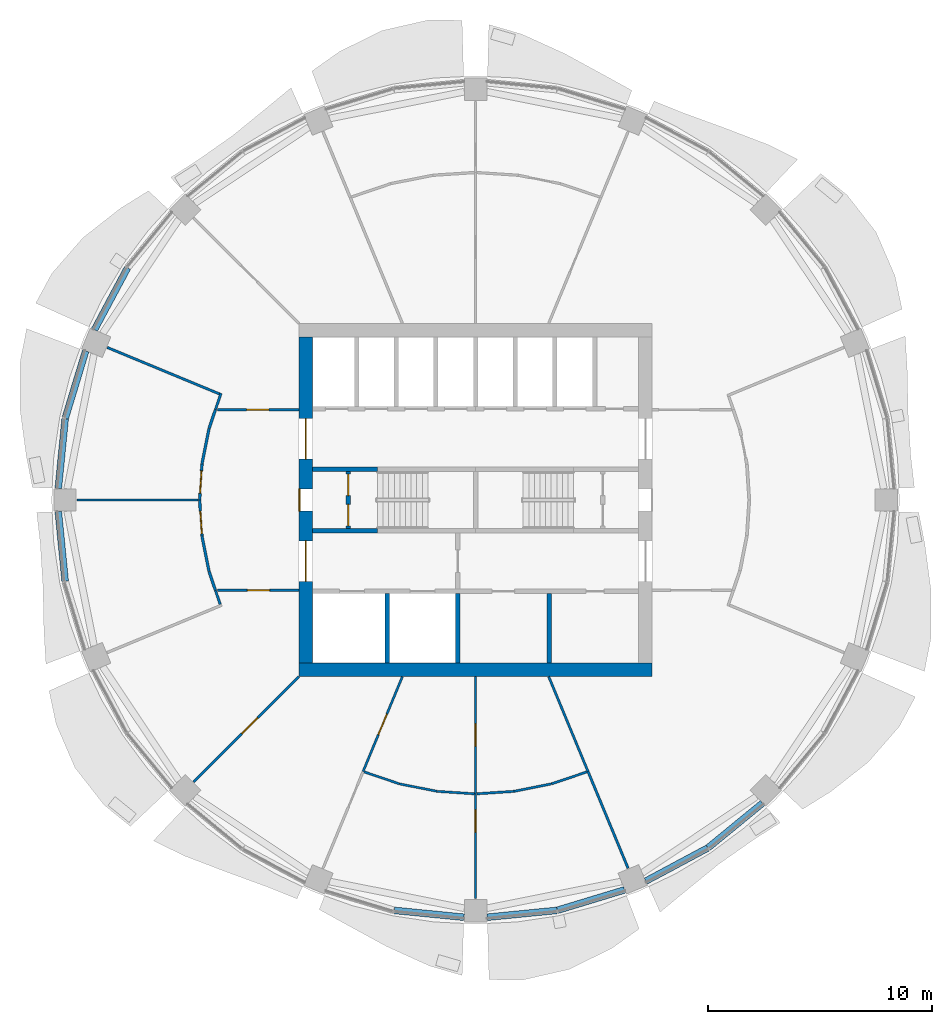
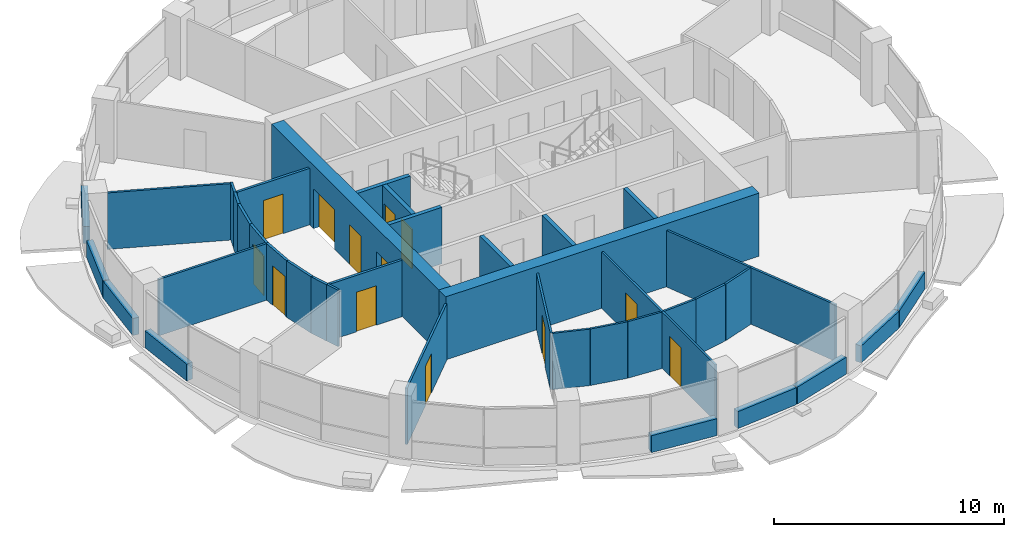
# One storey, part 8 of 14: 41 walls, 13 doors, 13 openings.
"""IFC4 building model written with IfcOpenShell, lengths in metres."""

from ifc_helpers import new_model, si_unit, direction, frame, frame_2d, origin, place, context, subcontext, project, spatial, rectangle, extrude, material, layer, layer_set, type_object, element, fill, save


model = new_model("IFC4")

# Units and contexts
model_context = context("Model", 3, precision=1e-05, world=origin(), true_north=direction((0.0, 1.0)))
body_context = subcontext(model_context, "Body", "Model", "MODEL_VIEW")
ifc_project = project(units=[si_unit("LENGTHUNIT", "METRE"), si_unit("AREAUNIT", "SQUARE_METRE"), si_unit("VOLUMEUNIT", "CUBIC_METRE"), si_unit("PLANEANGLEUNIT", "RADIAN"), si_unit("MASSUNIT", "GRAM", prefix="KILO")], contexts=[model_context])

# Site, building, storey
site_placement = place(None, origin())
site = spatial("IfcSite", under=ifc_project, at=site_placement, CompositionType="ELEMENT")
building_placement = place(site_placement, origin())
building = spatial("IfcBuilding", under=site, at=building_placement, Name="Polderwave Tower", CompositionType="ELEMENT")
storey_placement = place(building_placement, frame((0.0, 0.0, 141.050048828125)))
storey = spatial("IfcBuildingStorey", under=building, at=storey_placement, Name="L37", CompositionType="ELEMENT", Elevation=141.050048828125)

# Wall
ifc_material_1 = material(Name="Concrete C60/75", Category="concrete")
ifc_layer_1 = layer(ifc_material_1, 0.60009765625)
ifc_layer_set_1 = layer_set([ifc_layer_1], Name="CORE WALL 600 C60/75")
wall_type_1 = type_object("IfcWallType", Name="CORE WALL 600 C60/75", PredefinedType="SHEAR", material=ifc_layer_set_1)
wall_1_placement = place(storey_placement, frame((-7.8740234375, -7.573974609375, 0.0), z_axis=(0.0, 0.0, 1.0), x_axis=(1.0, 0.0, 0.0)))
element("IfcWall", 1, at=wall_1_placement, inside=storey, type_object=wall_type_1, Name="ST-CORE-L37-S", PredefinedType="SHEAR", context=body_context, shape_type="SweptSolid", body=[
    extrude(rectangle(XDim=15.748046875, YDim=0.60009765625, at=frame_2d((7.8740234375, 0.0))), origin(), (0.0, 0.0, 1.0), 3.349853515625),
])

# Wall, openings, doors
wall_2_placement = place(storey_placement, frame((-7.573974609375, -7.27392578125, 0.0), z_axis=(0.0, 0.0, 1.0), x_axis=(0.0, 1.0, 0.0)))
wall_2 = element("IfcWall", 2, at=wall_2_placement, inside=storey, type_object=wall_type_1, Name="ST-CORE-L37-W", PredefinedType="SHEAR", context=body_context, shape_type="SweptSolid", body=[
    extrude(rectangle(XDim=14.5478515625, YDim=0.60009765625, at=frame_2d((7.27392578125, 0.0))), origin(), (0.0, 0.0, 1.0), 3.349853515625),
])
opening_1_placement = place(wall_2_placement, frame((6.77392578125, 0.0, 0.0)))
opening_1 = element("IfcOpeningElement", 3, at=opening_1_placement, cuts=wall_2, Name="Opening L37-D18", PredefinedType="OPENING", context=body_context, shape_type="SweptSolid", body=[
    extrude(rectangle(XDim=1.0, YDim=2.10009765625, at=frame_2d((0.5, 1.050048828125))), frame((0.0, 0.31005859375, 0.0), z_axis=(0.0, -1.0, 0.0), x_axis=(1.0, 0.0, 0.0)), (0.0, 0.0, 1.0), 0.6201171875),
])
opening_2_placement = place(wall_2_placement, frame((3.6494140625, 0.0, 0.0)))
opening_2 = element("IfcOpeningElement", 4, at=opening_2_placement, cuts=wall_2, Name="Opening L37-D19", PredefinedType="OPENING", context=body_context, shape_type="SweptSolid", body=[
    extrude(rectangle(XDim=1.800048828125, YDim=2.10009765625, at=frame_2d((0.89990234375, 1.050048828125))), frame((0.0, 0.31005859375, 0.0), z_axis=(0.0, -1.0, 0.0), x_axis=(1.0, 0.0, 0.0)), (0.0, 0.0, 1.0), 0.6201171875),
])
opening_3_placement = place(wall_2_placement, frame((9.098388671875, 0.0, 0.0)))
opening_3 = element("IfcOpeningElement", 5, at=opening_3_placement, cuts=wall_2, Name="Opening L37-D20", PredefinedType="OPENING", context=body_context, shape_type="SweptSolid", body=[
    extrude(rectangle(XDim=1.800048828125, YDim=2.10009765625, at=frame_2d((0.89990234375, 1.050048828125))), frame((0.0, 0.31005859375, 0.0), z_axis=(0.0, -1.0, 0.0), x_axis=(1.0, 0.0, 0.0)), (0.0, 0.0, 1.0), 0.6201171875),
])
ifc_material_2 = material(Name="Steel fire door", Category="steel")
door_type_1 = type_object("IfcDoorType", Name="Lobby entry door pair 1800", OperationType="DOUBLE_DOOR_SINGLE_SWING", PredefinedType="DOOR", material=ifc_material_2)
door_1_placement = place(opening_2_placement, origin())
door_1 = element("IfcDoor", 6, at=door_1_placement, inside=storey, type_object=door_type_1, Name="Fire-fighting lobby entry door", OperationType="DOUBLE_DOOR_SINGLE_SWING", OverallHeight=2.10009765625, OverallWidth=1.800048828125, PredefinedType="DOOR", context=body_context, shape_type="SweptSolid", body=[
    extrude(rectangle(XDim=1.800048828125, YDim=2.10009765625, at=frame_2d((0.89990234375, 1.050048828125))), frame((0.0, 0.02490234375, 0.0), z_axis=(0.0, -1.0, 0.0), x_axis=(1.0, 0.0, 0.0)), (0.0, 0.0, 1.0), 0.050048828125),
])
fill(opening_2, door_1)
door_2_placement = place(opening_3_placement, origin())
door_2 = element("IfcDoor", 7, at=door_2_placement, inside=storey, type_object=door_type_1, Name="North lobby entry door", OperationType="DOUBLE_DOOR_SINGLE_SWING", OverallHeight=2.10009765625, OverallWidth=1.800048828125, PredefinedType="DOOR", context=body_context, shape_type="SweptSolid", body=[
    extrude(rectangle(XDim=1.800048828125, YDim=2.10009765625, at=frame_2d((0.89990234375, 1.050048828125))), frame((0.0, 0.02490234375, 0.0), z_axis=(0.0, -1.0, 0.0), x_axis=(1.0, 0.0, 0.0)), (0.0, 0.0, 1.0), 0.050048828125),
])
fill(opening_3, door_2)
door_type_2 = type_object("IfcDoorType", Name="Stair door 1000", OperationType="NOTDEFINED", PredefinedType="DOOR", material=ifc_material_2)
door_3_placement = place(opening_1_placement, origin())
door_3 = element("IfcDoor", 8, at=door_3_placement, inside=storey, type_object=door_type_2, Name="Stair A entry door", OperationType="SINGLE_SWING_RIGHT", OverallHeight=2.10009765625, OverallWidth=1.0, PredefinedType="DOOR", context=body_context, shape_type="SweptSolid", body=[
    extrude(rectangle(XDim=1.0, YDim=2.10009765625, at=frame_2d((0.5, 1.050048828125))), frame((0.0, 0.2998046875, 0.0), z_axis=(0.0, -1.0, 0.0), x_axis=(1.0, 0.0, 0.0)), (0.0, 0.0, 1.0), 0.050048828125),
])
fill(opening_1, door_3)

# Walls
ifc_material_3 = material(Name="Concrete C50/60 (board-marked)", Category="concrete")
ifc_layer_2 = layer(ifc_material_3, 0.300048828125)
ifc_layer_set_2 = layer_set([ifc_layer_2], Name="Concrete spandrel upstand C50/60")
wall_type_2 = type_object("IfcWallType", Name="Concrete spandrel upstand C50/60", PredefinedType="SOLIDWALL", material=ifc_layer_set_2)
for number, where, z_axis, x_axis, name in (
    (9, (-15.51318359375, 10.347900390625, 0.0), (0.0, 0.0, 1.0), (-0.471577373746, -0.881824688116, 0.0), "Spandrel L37 7b"),
    (10, (-17.37939453125, 6.642578125, 0.0), (0.0, 0.0, 1.0), (-0.290614442714, -0.95684024042, 0.0), "Spandrel L37 8a"),
):
    element("IfcWall", number, at=place(storey_placement, frame(where, z_axis=z_axis, x_axis=x_axis)), inside=storey, type_object=wall_type_2, Name=name, PredefinedType="SOLIDWALL", context=body_context, shape_type="SweptSolid", body=[
        extrude(rectangle(XDim=3.125, YDim=0.300048828125, at=frame_2d((1.5625, 0.0))), origin(), (0.0, 0.0, 1.0), 0.89990234375),
    ])
for number, where, z_axis, x_axis, name in (
    (11, (-18.29345703125, 3.623046875, 0.0), (0.0, 0.0, 1.0), (-0.097994848851, -0.995186921939, 0.0), "Spandrel L37 8b"),
    (12, (-18.599609375, -0.513916015625, 0.0), (0.0, 0.0, 1.0), (0.097994848851, -0.995186921939, 0.0), "Spandrel L37 9a"),
    (13, (-3.623046875, -18.29345703125, 0.0), (0.0, 0.0, 1.0), (0.995186921939, -0.097994848851, 0.0), "Spandrel L37 12b"),
    (14, (0.513916015625, -18.599609375, 0.0), (0.0, 0.0, 1.0), (0.995186921939, 0.097994848851, 0.0), "Spandrel L37 13a"),
):
    element("IfcWall", number, at=place(storey_placement, frame(where, z_axis=z_axis, x_axis=x_axis)), inside=storey, type_object=wall_type_2, Name=name, PredefinedType="SOLIDWALL", context=body_context, shape_type="SweptSolid", body=[
        extrude(rectangle(XDim=3.124267578125, YDim=0.300048828125, at=frame_2d((1.56201171875, 0.0))), origin(), (0.0, 0.0, 1.0), 0.89990234375),
    ])
for number, where, z_axis, x_axis, name in (
    (15, (3.65234375, -18.28759765625, 0.0), (0.0, 0.0, 1.0), (0.95684024042, 0.290614442714, 0.0), "Spandrel L37 13b"),
    (16, (7.59228515625, -16.98681640625, 0.0), (0.0, 0.0, 1.0), (0.881824688116, 0.471577373746, 0.0), "Spandrel L37 14a"),
    (17, (10.37255859375, -15.49658203125, 0.0), (0.0, 0.0, 1.0), (0.773351289405, 0.633977746593, 0.0), "Spandrel L37 14b"),
):
    element("IfcWall", number, at=place(storey_placement, frame(where, z_axis=z_axis, x_axis=x_axis)), inside=storey, type_object=wall_type_2, Name=name, PredefinedType="SOLIDWALL", context=body_context, shape_type="SweptSolid", body=[
        extrude(rectangle(XDim=3.125, YDim=0.300048828125, at=frame_2d((1.5625, 0.0))), origin(), (0.0, 0.0, 1.0), 0.89990234375),
    ])
ifc_material_4 = material(Name="Gypsum board partition")
ifc_layer_3 = layer(ifc_material_4, 0.199951171875)
ifc_layer_set_3 = layer_set([ifc_layer_3], Name="Core room partition 200")
wall_type_3 = type_object("IfcWallType", Name="Core room partition 200", PredefinedType="PARTITIONING", material=ifc_layer_set_3)
wall_3_placement = place(storey_placement, frame((3.287109375, -7.27392578125, 0.0), z_axis=(0.0, 0.0, 1.0), x_axis=(0.0, 1.0, 0.0)))
element("IfcWall", 18, at=wall_3_placement, inside=storey, type_object=wall_type_3, Name="L37 room partition S1", PredefinedType="PARTITIONING", context=body_context, shape_type="SweptSolid", body=[
    extrude(rectangle(XDim=3.099853515625, YDim=0.199951171875, at=frame_2d((1.5498046875, 0.0))), origin(), (0.0, 0.0, 1.0), 3.0),
])

# Wall, openings, doors
wall_4_placement = place(storey_placement, frame((-5.674072265625, -1.27490234375, 0.0), z_axis=(0.0, 0.0, 1.0), x_axis=(0.0, 1.0, 0.0)))
wall_4 = element("IfcWall", 19, at=wall_4_placement, inside=storey, type_object=wall_type_3, Name="L37 smoke lobby wall A", PredefinedType="PARTITIONING", context=body_context, shape_type="SweptSolid", body=[
    extrude(rectangle(XDim=2.5498046875, YDim=0.199951171875, at=frame_2d((1.27490234375, 0.0))), origin(), (0.0, 0.0, 1.0), 3.0),
])
opening_4_placement = place(wall_4_placement, frame((0.125, 0.0, 0.0)))
opening_4 = element("IfcOpeningElement", 20, at=opening_4_placement, cuts=wall_4, Name="Opening L37-D10", PredefinedType="OPENING", context=body_context, shape_type="SweptSolid", body=[
    extrude(rectangle(XDim=0.949951171875, YDim=2.10009765625, at=frame_2d((0.47509765625, 1.050048828125))), frame((0.0, 0.10986328125, 0.0), z_axis=(0.0, -1.0, 0.0), x_axis=(1.0, 0.0, 0.0)), (0.0, 0.0, 1.0), 0.219970703125),
])
opening_5_placement = place(wall_4_placement, frame((1.47509765625, 0.0, 0.0)))
opening_5 = element("IfcOpeningElement", 21, at=opening_5_placement, cuts=wall_4, Name="Opening L37-D11", PredefinedType="OPENING", context=body_context, shape_type="SweptSolid", body=[
    extrude(rectangle(XDim=0.949951171875, YDim=2.10009765625, at=frame_2d((0.47509765625, 1.050048828125))), frame((0.0, 0.10986328125, 0.0), z_axis=(0.0, -1.0, 0.0), x_axis=(1.0, 0.0, 0.0)), (0.0, 0.0, 1.0), 0.219970703125),
])
door_type_3 = type_object("IfcDoorType", Name="Smoke lobby door 950", OperationType="NOTDEFINED", PredefinedType="DOOR", material=ifc_material_2)
door_4_placement = place(opening_4_placement, origin())
door_4 = element("IfcDoor", 22, at=door_4_placement, inside=storey, type_object=door_type_3, Name="Stair A smoke lobby inner door", OperationType="SINGLE_SWING_LEFT", OverallHeight=2.10009765625, OverallWidth=0.949951171875, PredefinedType="DOOR", context=body_context, shape_type="SweptSolid", body=[
    extrude(rectangle(XDim=0.949951171875, YDim=2.10009765625, at=frame_2d((0.47509765625, 1.050048828125))), frame((0.0, 0.02490234375, 0.0), z_axis=(0.0, -1.0, 0.0), x_axis=(1.0, 0.0, 0.0)), (0.0, 0.0, 1.0), 0.050048828125),
])
fill(opening_4, door_4)
door_5_placement = place(opening_5_placement, origin())
door_5 = element("IfcDoor", 23, at=door_5_placement, inside=storey, type_object=door_type_3, Name="Stair A smoke lobby inner door", OperationType="SINGLE_SWING_RIGHT", OverallHeight=2.10009765625, OverallWidth=0.949951171875, PredefinedType="DOOR", context=body_context, shape_type="SweptSolid", body=[
    extrude(rectangle(XDim=0.949951171875, YDim=2.10009765625, at=frame_2d((0.47509765625, 1.050048828125))), frame((0.0, 0.02490234375, 0.0), z_axis=(0.0, -1.0, 0.0), x_axis=(1.0, 0.0, 0.0)), (0.0, 0.0, 1.0), 0.050048828125),
])
fill(opening_5, door_5)

# Walls
ifc_material_5 = material(Name="Concrete C50/60", Category="concrete")
ifc_layer_4 = layer(ifc_material_5, 0.199951171875)
ifc_layer_set_4 = layer_set([ifc_layer_4], Name="Core web wall 200")
wall_type_4 = type_object("IfcWallType", Name="Core web wall 200", PredefinedType="SHEAR", material=ifc_layer_set_4)
for number, where, z_axis, x_axis, name in (
    (24, (-7.27392578125, -1.375, 0.0), (0.0, 0.0, 1.0), (1.0, 0.0, 0.0), "L37 south stair wall 1"),
    (25, (-7.27392578125, 1.375, 0.0), (0.0, 0.0, 1.0), (1.0, 0.0, 0.0), "L37 north stair wall 1"),
):
    element("IfcWall", number, at=place(storey_placement, frame(where, z_axis=z_axis, x_axis=x_axis)), inside=storey, type_object=wall_type_4, Name=name, PredefinedType="SHEAR", context=body_context, shape_type="SweptSolid", body=[
        extrude(rectangle(XDim=2.89990234375, YDim=0.199951171875, at=frame_2d((1.449951171875, 0.0))), origin(), (0.0, 0.0, 1.0), 3.0),
    ])

# Wall, opening, door
ifc_material_6 = material(Name="Fire-resisting board on steel studs", Category="steel")
ifc_layer_5 = layer(ifc_material_6, 0.125)
ifc_layer_set_5 = layer_set([ifc_layer_5], Name="Corridor wall 125 mm EI 60")
wall_type_5 = type_object("IfcWallType", Name="Corridor wall 125 mm EI 60", PredefinedType="PARTITIONING", material=ifc_layer_set_5)
wall_5_placement = place(storey_placement, frame((-11.50830078125, 4.0244140625, 0.0), z_axis=(0.0, 0.0, 1.0), x_axis=(1.0, 0.0, 0.0)))
wall_5 = element("IfcWall", 26, at=wall_5_placement, inside=storey, type_object=wall_type_5, Name="IN-L37-W009", PredefinedType="PARTITIONING", context=body_context, shape_type="SweptSolid", body=[
    extrude(rectangle(XDim=3.63427734375, YDim=0.125, at=frame_2d((1.817138671875, 0.0))), origin(), (0.0, 0.0, 1.0), 3.0),
])
opening_6_placement = place(wall_5_placement, frame((1.300048828125, 0.0, 0.0)))
opening_6 = element("IfcOpeningElement", 27, at=opening_6_placement, cuts=wall_5, Name="Opening L37-D53", PredefinedType="OPENING", context=body_context, shape_type="SweptSolid", body=[
    extrude(rectangle(XDim=1.0, YDim=2.10009765625, at=frame_2d((0.5, 1.050048828125))), frame((0.0, 0.072509765625, 0.0), z_axis=(0.0, -1.0, 0.0), x_axis=(1.0, 0.0, 0.0)), (0.0, 0.0, 1.0), 0.14501953125),
])
ifc_material_7 = material(Name="Timber fire door leaf", Category="wood")
door_type_4 = type_object("IfcDoorType", Name="Fire door FD30S 1000 x 2100", OperationType="NOTDEFINED", PredefinedType="DOOR", material=ifc_material_7)
door_6_placement = place(opening_6_placement, origin())
door_6 = element("IfcDoor", 28, at=door_6_placement, inside=storey, type_object=door_type_4, Name="Door L37-D53", OperationType="SINGLE_SWING_LEFT", OverallHeight=2.10009765625, OverallWidth=1.0, PredefinedType="DOOR", context=body_context, shape_type="SweptSolid", body=[
    extrude(rectangle(XDim=1.0, YDim=2.10009765625, at=frame_2d((0.5, 1.050048828125))), frame((0.0, 0.02490234375, 0.0), z_axis=(0.0, -1.0, 0.0), x_axis=(1.0, 0.0, 0.0)), (0.0, 0.0, 1.0), 0.050048828125),
])
fill(opening_6, door_6)

wall_6_placement = place(storey_placement, frame((-12.300048828125, 0.0, 0.0), z_axis=(0.0, 0.0, 1.0), x_axis=(0.065418342457, 0.997857925995, 0.0)))
wall_6 = element("IfcWall", 29, at=wall_6_placement, inside=storey, type_object=wall_type_5, Name="IN-L37-W010", PredefinedType="PARTITIONING", context=body_context, shape_type="SweptSolid", body=[
    extrude(rectangle(XDim=1.604736328125, YDim=0.125, at=frame_2d((0.80224609375, 0.0))), origin(), (0.0, 0.0, 1.0), 3.0),
])
opening_7_placement = place(wall_6_placement, frame((0.300048828125, 0.0, 0.0)))
opening_7 = element("IfcOpeningElement", 30, at=opening_7_placement, cuts=wall_6, Name="Opening L37-D54", PredefinedType="OPENING", context=body_context, shape_type="SweptSolid", body=[
    extrude(rectangle(XDim=1.0, YDim=2.10009765625, at=frame_2d((0.5, 1.050048828125))), frame((0.0, 0.072509765625, 0.0), z_axis=(0.0, -1.0, 0.0), x_axis=(1.0, 0.0, 0.0)), (0.0, 0.0, 1.0), 0.14501953125),
])
door_7_placement = place(opening_7_placement, origin())
door_7 = element("IfcDoor", 31, at=door_7_placement, inside=storey, type_object=door_type_4, Name="Door L37-D54", OperationType="SINGLE_SWING_LEFT", OverallHeight=2.10009765625, OverallWidth=1.0, PredefinedType="DOOR", context=body_context, shape_type="SweptSolid", body=[
    extrude(rectangle(XDim=1.0, YDim=2.10009765625, at=frame_2d((0.5, 1.050048828125))), frame((0.0, 0.02490234375, 0.0), z_axis=(0.0, -1.0, 0.0), x_axis=(1.0, 0.0, 0.0)), (0.0, 0.0, 1.0), 0.050048828125),
])
fill(opening_7, door_7)

# Walls
wall_7_placement = place(storey_placement, frame((-12.194091796875, 1.609619140625, 0.0), z_axis=(0.0, 0.0, 1.0), x_axis=(0.195236085831, 0.980756274917, 0.0)))
element("IfcWall", 32, at=wall_7_placement, inside=storey, type_object=wall_type_5, Name="IN-L37-W011", PredefinedType="PARTITIONING", context=body_context, shape_type="SweptSolid", body=[
    extrude(rectangle(XDim=1.6005859375, YDim=0.125, at=frame_2d((0.80029296875, 0.0))), origin(), (0.0, 0.0, 1.0), 3.0),
])
wall_8_placement = place(storey_placement, frame((-11.879638671875, 3.1875, 0.0), z_axis=(0.0, 0.0, 1.0), x_axis=(0.321526351952, 0.946900631006, 0.0)))
element("IfcWall", 33, at=wall_8_placement, inside=storey, type_object=wall_type_5, Name="IN-L37-W012", PredefinedType="PARTITIONING", context=body_context, shape_type="SweptSolid", body=[
    extrude(rectangle(XDim=0.8837890625, YDim=0.125, at=frame_2d((0.44189453125, 0.0))), origin(), (0.0, 0.0, 1.0), 3.0),
])

# Wall, opening, door
wall_9_placement = place(storey_placement, frame((-7.8740234375, -4.0244140625, 0.0), z_axis=(0.0, 0.0, 1.0), x_axis=(-1.0, 0.0, 0.0)))
wall_9 = element("IfcWall", 34, at=wall_9_placement, inside=storey, type_object=wall_type_5, Name="IN-L37-W013", PredefinedType="PARTITIONING", context=body_context, shape_type="SweptSolid", body=[
    extrude(rectangle(XDim=3.63427734375, YDim=0.125, at=frame_2d((1.817138671875, 0.0))), origin(), (0.0, 0.0, 1.0), 3.0),
])
opening_8_placement = place(wall_9_placement, frame((1.300048828125, 0.0, 0.0)))
opening_8 = element("IfcOpeningElement", 35, at=opening_8_placement, cuts=wall_9, Name="Opening L37-D55", PredefinedType="OPENING", context=body_context, shape_type="SweptSolid", body=[
    extrude(rectangle(XDim=1.0, YDim=2.10009765625, at=frame_2d((0.5, 1.050048828125))), frame((0.0, 0.072509765625, 0.0), z_axis=(0.0, -1.0, 0.0), x_axis=(1.0, 0.0, 0.0)), (0.0, 0.0, 1.0), 0.14501953125),
])
door_8_placement = place(opening_8_placement, origin())
door_8 = element("IfcDoor", 36, at=door_8_placement, inside=storey, type_object=door_type_4, Name="Door L37-D55", OperationType="SINGLE_SWING_LEFT", OverallHeight=2.10009765625, OverallWidth=1.0, PredefinedType="DOOR", context=body_context, shape_type="SweptSolid", body=[
    extrude(rectangle(XDim=1.0, YDim=2.10009765625, at=frame_2d((0.5, 1.050048828125))), frame((0.0, 0.02490234375, 0.0), z_axis=(0.0, -1.0, 0.0), x_axis=(1.0, 0.0, 0.0)), (0.0, 0.0, 1.0), 0.050048828125),
])
fill(opening_8, door_8)

wall_10_placement = place(storey_placement, frame((-12.195068359375, -1.601318359375, 0.0), z_axis=(0.0, 0.0, 1.0), x_axis=(-0.065418342457, 0.997857925995, 0.0)))
wall_10 = element("IfcWall", 37, at=wall_10_placement, inside=storey, type_object=wall_type_5, Name="IN-L37-W014", PredefinedType="PARTITIONING", context=body_context, shape_type="SweptSolid", body=[
    extrude(rectangle(XDim=1.604736328125, YDim=0.125, at=frame_2d((0.80224609375, 0.0))), origin(), (0.0, 0.0, 1.0), 3.0),
])
opening_9_placement = place(wall_10_placement, frame((0.10009765625, 0.0, 0.0)))
opening_9 = element("IfcOpeningElement", 38, at=opening_9_placement, cuts=wall_10, Name="Opening L37-D56", PredefinedType="OPENING", context=body_context, shape_type="SweptSolid", body=[
    extrude(rectangle(XDim=1.0, YDim=2.10009765625, at=frame_2d((0.5, 1.050048828125))), frame((0.0, 0.072509765625, 0.0), z_axis=(0.0, -1.0, 0.0), x_axis=(1.0, 0.0, 0.0)), (0.0, 0.0, 1.0), 0.14501953125),
])
door_9_placement = place(opening_9_placement, origin())
door_9 = element("IfcDoor", 39, at=door_9_placement, inside=storey, type_object=door_type_4, Name="Door L37-D56", OperationType="SINGLE_SWING_LEFT", OverallHeight=2.10009765625, OverallWidth=1.0, PredefinedType="DOOR", context=body_context, shape_type="SweptSolid", body=[
    extrude(rectangle(XDim=1.0, YDim=2.10009765625, at=frame_2d((0.5, 1.050048828125))), frame((0.0, 0.02490234375, 0.0), z_axis=(0.0, -1.0, 0.0), x_axis=(1.0, 0.0, 0.0)), (0.0, 0.0, 1.0), 0.050048828125),
])
fill(opening_9, door_9)

# Walls
wall_11_placement = place(storey_placement, frame((-11.881591796875, -3.179443359375, 0.0), z_axis=(0.0, 0.0, 1.0), x_axis=(-0.195236085831, 0.980756274917, 0.0)))
element("IfcWall", 40, at=wall_11_placement, inside=storey, type_object=wall_type_5, Name="IN-L37-W015", PredefinedType="PARTITIONING", context=body_context, shape_type="SweptSolid", body=[
    extrude(rectangle(XDim=1.6005859375, YDim=0.125, at=frame_2d((0.80029296875, 0.0))), origin(), (0.0, 0.0, 1.0), 3.0),
])
wall_12_placement = place(storey_placement, frame((-11.595458984375, -4.0244140625, 0.0), z_axis=(0.0, 0.0, 1.0), x_axis=(-0.321526351952, 0.946900631006, 0.0)))
element("IfcWall", 41, at=wall_12_placement, inside=storey, type_object=wall_type_5, Name="IN-L37-W016", PredefinedType="PARTITIONING", context=body_context, shape_type="SweptSolid", body=[
    extrude(rectangle(XDim=0.8837890625, YDim=0.125, at=frame_2d((0.44189453125, 0.0))), origin(), (0.0, 0.0, 1.0), 3.0),
])

# Wall, opening, door
ifc_material_8 = material(Name="Plasterboard on steel studs", Category="steel")
ifc_layer_6 = layer(ifc_material_8, 0.10009765625)
ifc_layer_set_6 = layer_set([ifc_layer_6], Name="Partition 100 mm plasterboard on steel studs")
wall_type_6 = type_object("IfcWallType", Name="Partition 100 mm plasterboard on steel studs", PredefinedType="PARTITIONING", material=ifc_layer_set_6)
wall_13_placement = place(storey_placement, frame((-7.8740234375, -7.8740234375, 0.0), z_axis=(0.0, 0.0, 1.0), x_axis=(-0.707106781187, -0.707106781187, 0.0)))
wall_13 = element("IfcWall", 42, at=wall_13_placement, inside=storey, type_object=wall_type_6, Name="IN-L37-W039", PredefinedType="PARTITIONING", context=body_context, shape_type="SweptSolid", body=[
    extrude(rectangle(XDim=6.63427734375, YDim=0.10009765625, at=frame_2d((3.317138671875, 0.0))), origin(), (0.0, 0.0, 1.0), 3.0),
])
opening_10_placement = place(wall_13_placement, frame((2.60009765625, 0.0, 0.0)))
opening_10 = element("IfcOpeningElement", 43, at=opening_10_placement, cuts=wall_13, Name="Opening L37-D62", PredefinedType="OPENING", context=body_context, shape_type="SweptSolid", body=[
    extrude(rectangle(XDim=1.0, YDim=2.10009765625, at=frame_2d((0.5, 1.050048828125))), frame((0.0, 0.06005859375, 0.0), z_axis=(0.0, -1.0, 0.0), x_axis=(1.0, 0.0, 0.0)), (0.0, 0.0, 1.0), 0.1201171875),
])
ifc_material_9 = material(Name="Timber veneer door leaf", Category="wood")
door_type_5 = type_object("IfcDoorType", Name="Single door 1000 x 2100", OperationType="NOTDEFINED", PredefinedType="DOOR", material=ifc_material_9)
door_10_placement = place(opening_10_placement, origin())
door_10 = element("IfcDoor", 44, at=door_10_placement, inside=storey, type_object=door_type_5, Name="Door L37-D62", OperationType="SINGLE_SWING_LEFT", OverallHeight=2.10009765625, OverallWidth=1.0, PredefinedType="DOOR", context=body_context, shape_type="SweptSolid", body=[
    extrude(rectangle(XDim=1.0, YDim=2.10009765625, at=frame_2d((0.5, 1.050048828125))), frame((0.0, 0.02490234375, 0.0), z_axis=(0.0, -1.0, 0.0), x_axis=(1.0, 0.0, 0.0)), (0.0, 0.0, 1.0), 0.050048828125),
])
fill(opening_10, door_10)

wall_14_placement = place(storey_placement, frame((-3.261474609375, -7.8740234375, 0.0), z_axis=(0.0, 0.0, 1.0), x_axis=(-0.382701956612, -0.923871859299, 0.0)))
wall_14 = element("IfcWall", 45, at=wall_14_placement, inside=storey, type_object=wall_type_6, Name="IN-L37-W040", PredefinedType="PARTITIONING", context=body_context, shape_type="SweptSolid", body=[
    extrude(rectangle(XDim=4.5771484375, YDim=0.10009765625, at=frame_2d((2.28857421875, 0.0))), origin(), (0.0, 0.0, 1.0), 3.0),
])
opening_11_placement = place(wall_14_placement, frame((1.800048828125, 0.0, 0.0)))
opening_11 = element("IfcOpeningElement", 46, at=opening_11_placement, cuts=wall_14, Name="Opening L37-D63", PredefinedType="OPENING", context=body_context, shape_type="SweptSolid", body=[
    extrude(rectangle(XDim=1.0, YDim=2.10009765625, at=frame_2d((0.5, 1.050048828125))), frame((0.0, 0.06005859375, 0.0), z_axis=(0.0, -1.0, 0.0), x_axis=(1.0, 0.0, 0.0)), (0.0, 0.0, 1.0), 0.1201171875),
])
door_11_placement = place(opening_11_placement, origin())
door_11 = element("IfcDoor", 47, at=door_11_placement, inside=storey, type_object=door_type_5, Name="Door L37-D63", OperationType="SINGLE_SWING_RIGHT", OverallHeight=2.10009765625, OverallWidth=1.0, PredefinedType="DOOR", context=body_context, shape_type="SweptSolid", body=[
    extrude(rectangle(XDim=1.0, YDim=2.10009765625, at=frame_2d((0.5, 1.050048828125))), frame((0.0, 0.02490234375, 0.0), z_axis=(0.0, -1.0, 0.0), x_axis=(1.0, 0.0, 0.0)), (0.0, 0.0, 1.0), 0.050048828125),
])
fill(opening_11, door_11)

# Walls
wall_15_placement = place(storey_placement, frame((-3.3935546875, -12.652587890625, 0.0), z_axis=(0.0, 0.0, 1.0), x_axis=(-0.946960286408, 0.321350612207, 0.0)))
element("IfcWall", 48, at=wall_15_placement, inside=storey, type_object=wall_type_6, Name="IN-L37-W042", PredefinedType="PARTITIONING", context=body_context, shape_type="SweptSolid", body=[
    extrude(rectangle(XDim=1.656982421875, YDim=0.10009765625, at=frame_2d((0.82861328125, 0.0))), origin(), (0.0, 0.0, 1.0), 3.0),
])
wall_16_placement = place(storey_placement, frame((-1.713134765625, -12.9873046875, 0.0), z_axis=(0.0, 0.0, 1.0), x_axis=(-0.980783695828, 0.195098288043, 0.0)))
element("IfcWall", 49, at=wall_16_placement, inside=storey, type_object=wall_type_6, Name="IN-L37-W043", PredefinedType="PARTITIONING", context=body_context, shape_type="SweptSolid", body=[
    extrude(rectangle(XDim=1.706787109375, YDim=0.10009765625, at=frame_2d((0.853515625, 0.0))), origin(), (0.0, 0.0, 1.0), 3.0),
])
wall_17_placement = place(storey_placement, frame((-0.055908203125, -13.09619140625, 0.0), z_axis=(0.0, 0.0, 1.0), x_axis=(-0.997860265299, 0.06538265013, 0.0)))
element("IfcWall", 50, at=wall_17_placement, inside=storey, type_object=wall_type_6, Name="IN-L37-W044", PredefinedType="PARTITIONING", context=body_context, shape_type="SweptSolid", body=[
    extrude(rectangle(XDim=1.654052734375, YDim=0.10009765625, at=frame_2d((0.8271484375, 0.0))), origin(), (0.0, 0.0, 1.0), 3.0),
])

# Wall, opening, door
wall_18_placement = place(storey_placement, frame((0.0, -13.10009765625, 0.0), z_axis=(0.0, 0.0, 1.0), x_axis=(0.0, -1.0, 0.0)))
wall_18 = element("IfcWall", 51, at=wall_18_placement, inside=storey, type_object=wall_type_6, Name="IN-L37-W046", PredefinedType="PARTITIONING", context=body_context, shape_type="SweptSolid", body=[
    extrude(rectangle(XDim=4.669921875, YDim=0.10009765625, at=frame_2d((2.3349609375, 0.0))), origin(), (0.0, 0.0, 1.0), 3.0),
])
opening_12_placement = place(wall_18_placement, frame((0.699951171875, 0.0, 0.0)))
opening_12 = element("IfcOpeningElement", 52, at=opening_12_placement, cuts=wall_18, Name="Opening L37-D66", PredefinedType="OPENING", context=body_context, shape_type="SweptSolid", body=[
    extrude(rectangle(XDim=1.0, YDim=2.10009765625, at=frame_2d((0.5, 1.050048828125))), frame((0.0, 0.06005859375, 0.0), z_axis=(0.0, -1.0, 0.0), x_axis=(1.0, 0.0, 0.0)), (0.0, 0.0, 1.0), 0.1201171875),
])
door_12_placement = place(opening_12_placement, origin())
door_12 = element("IfcDoor", 53, at=door_12_placement, inside=storey, type_object=door_type_5, Name="Door L37-D66", OperationType="SINGLE_SWING_LEFT", OverallHeight=2.10009765625, OverallWidth=1.0, PredefinedType="DOOR", context=body_context, shape_type="SweptSolid", body=[
    extrude(rectangle(XDim=1.0, YDim=2.10009765625, at=frame_2d((0.5, 1.050048828125))), frame((0.0, 0.02490234375, 0.0), z_axis=(0.0, -1.0, 0.0), x_axis=(1.0, 0.0, 0.0)), (0.0, 0.0, 1.0), 0.050048828125),
])
fill(opening_12, door_12)

ifc_material_10 = material(Name="Moisture-resistant board on steel studs, tiled", Category="steel")
ifc_layer_7 = layer(ifc_material_10, 0.10498046875)
ifc_layer_set_7 = layer_set([ifc_layer_7], Name="Partition 105 mm wet room board and tile")
wall_type_7 = type_object("IfcWallType", Name="Partition 105 mm wet room board and tile", PredefinedType="PARTITIONING", material=ifc_layer_set_7)
wall_19_placement = place(storey_placement, frame((0.0, -7.8740234375, 0.0), z_axis=(0.0, 0.0, 1.0), x_axis=(0.0, -1.0, 0.0)))
wall_19 = element("IfcWall", 54, at=wall_19_placement, inside=storey, type_object=wall_type_7, Name="IN-L37-W045", PredefinedType="PARTITIONING", context=body_context, shape_type="SweptSolid", body=[
    extrude(rectangle(XDim=5.22607421875, YDim=0.10498046875, at=frame_2d((2.613037109375, 0.0))), origin(), (0.0, 0.0, 1.0), 3.0),
])
opening_13_placement = place(wall_19_placement, frame((2.10009765625, 0.0, 0.0)))
opening_13 = element("IfcOpeningElement", 55, at=opening_13_placement, cuts=wall_19, Name="Opening L37-D65", PredefinedType="OPENING", context=body_context, shape_type="SweptSolid", body=[
    extrude(rectangle(XDim=1.0, YDim=2.10009765625, at=frame_2d((0.5, 1.050048828125))), frame((0.0, 0.0625, 0.0), z_axis=(0.0, -1.0, 0.0), x_axis=(1.0, 0.0, 0.0)), (0.0, 0.0, 1.0), 0.125),
])
door_13_placement = place(opening_13_placement, origin())
door_13 = element("IfcDoor", 56, at=door_13_placement, inside=storey, type_object=door_type_5, Name="Door L37-D65", OperationType="SINGLE_SWING_LEFT", OverallHeight=2.10009765625, OverallWidth=1.0, PredefinedType="DOOR", context=body_context, shape_type="SweptSolid", body=[
    extrude(rectangle(XDim=1.0, YDim=2.10009765625, at=frame_2d((0.5, 1.050048828125))), frame((0.0, 0.02490234375, 0.0), z_axis=(0.0, -1.0, 0.0), x_axis=(1.0, 0.0, 0.0)), (0.0, 0.0, 1.0), 0.050048828125),
])
fill(opening_13, door_13)

# Walls
wall_20_placement = place(storey_placement, frame((1.70654296875, -12.988037109375, 0.0), z_axis=(0.0, 0.0, 1.0), x_axis=(-0.997860265299, -0.06538265013, 0.0)))
element("IfcWall", 57, at=wall_20_placement, inside=storey, type_object=wall_type_7, Name="IN-L37-W047", PredefinedType="PARTITIONING", context=body_context, shape_type="SweptSolid", body=[
    extrude(rectangle(XDim=1.654052734375, YDim=0.10498046875, at=frame_2d((0.8271484375, 0.0))), origin(), (0.0, 0.0, 1.0), 3.0),
])
wall_21_placement = place(storey_placement, frame((3.38720703125, -12.654296875, 0.0), z_axis=(0.0, 0.0, 1.0), x_axis=(-0.980778250333, -0.195125661239, 0.0)))
element("IfcWall", 58, at=wall_21_placement, inside=storey, type_object=wall_type_7, Name="IN-L37-W048", PredefinedType="PARTITIONING", context=body_context, shape_type="SweptSolid", body=[
    extrude(rectangle(XDim=1.70654296875, YDim=0.10498046875, at=frame_2d((0.853271484375, 0.0))), origin(), (0.0, 0.0, 1.0), 3.0),
])
wall_22_placement = place(storey_placement, frame((4.957763671875, -12.12158203125, 0.0), z_axis=(0.0, 0.0, 1.0), x_axis=(-0.946909610255, -0.321499906698, 0.0)))
element("IfcWall", 59, at=wall_22_placement, inside=storey, type_object=wall_type_7, Name="IN-L37-W049", PredefinedType="PARTITIONING", context=body_context, shape_type="SweptSolid", body=[
    extrude(rectangle(XDim=1.651611328125, YDim=0.10498046875, at=frame_2d((0.82568359375, 0.0))), origin(), (0.0, 0.0, 1.0), 3.0),
])
wall_23_placement = place(storey_placement, frame((3.261474609375, -7.8740234375, 0.0), z_axis=(0.0, 0.0, 1.0), x_axis=(0.382701956612, -0.923871859299, 0.0)))
element("IfcWall", 60, at=wall_23_placement, inside=storey, type_object=wall_type_7, Name="IN-L37-W050", PredefinedType="PARTITIONING", context=body_context, shape_type="SweptSolid", body=[
    extrude(rectangle(XDim=4.5771484375, YDim=0.10498046875, at=frame_2d((2.28857421875, 0.0))), origin(), (0.0, 0.0, 1.0), 3.0),
])
ifc_material_11 = material(Name="Acoustic double plasterboard on steel studs", Category="steel")
ifc_layer_8 = layer(ifc_material_11, 0.110107421875)
ifc_layer_set_8 = layer_set([ifc_layer_8], Name="Partition 110 mm acoustic double board")
wall_type_8 = type_object("IfcWallType", Name="Partition 110 mm acoustic double board", PredefinedType="PARTITIONING", material=ifc_layer_set_8)
wall_24_placement = place(storey_placement, frame((-11.595458984375, 4.0244140625, 0.0), z_axis=(0.0, 0.0, 1.0), x_axis=(0.321603719707, 0.94687435675, 0.0)))
element("IfcWall", 61, at=wall_24_placement, inside=storey, type_object=wall_type_8, Name="IN-L37-W034", PredefinedType="PARTITIONING", context=body_context, shape_type="SweptSolid", body=[
    extrude(rectangle(XDim=0.77587890625, YDim=0.110107421875, at=frame_2d((0.387939453125, 0.0))), origin(), (0.0, 0.0, 1.0), 3.0),
])
wall_25_placement = place(storey_placement, frame((-11.41796875, 4.7294921875, 0.0), z_axis=(0.0, 0.0, 1.0), x_axis=(-0.923877157574, 0.38268916592, 0.0)))
element("IfcWall", 62, at=wall_25_placement, inside=storey, type_object=wall_type_8, Name="IN-L37-W035", PredefinedType="PARTITIONING", context=body_context, shape_type="SweptSolid", body=[
    extrude(rectangle(XDim=5.4111328125, YDim=0.110107421875, at=frame_2d((2.70556640625, 0.0))), origin(), (0.0, 0.0, 1.0), 3.0),
])
wall_26_placement = place(storey_placement, frame((-12.3662109375, 0.0, 0.0), z_axis=(0.0, 0.0, 1.0), x_axis=(-1.0, 0.0, 0.0)))
element("IfcWall", 63, at=wall_26_placement, inside=storey, type_object=wall_type_8, Name="IN-L37-W036", PredefinedType="PARTITIONING", context=body_context, shape_type="SweptSolid", body=[
    extrude(rectangle(XDim=5.40380859375, YDim=0.110107421875, at=frame_2d((2.701904296875, 0.0))), origin(), (0.0, 0.0, 1.0), 3.0),
])
wall_27_placement = place(storey_placement, frame((-11.382568359375, -4.6513671875, 0.0), z_axis=(0.0, 0.0, 1.0), x_axis=(-0.321532524378, 0.946898535096, 0.0)))
element("IfcWall", 64, at=wall_27_placement, inside=storey, type_object=wall_type_8, Name="IN-L37-W038", PredefinedType="PARTITIONING", context=body_context, shape_type="SweptSolid", body=[
    extrude(rectangle(XDim=0.662109375, YDim=0.110107421875, at=frame_2d((0.3310546875, 0.0))), origin(), (0.0, 0.0, 1.0), 3.0),
])
wall_28_placement = place(storey_placement, frame((5.01318359375, -12.102783203125, 0.0), z_axis=(0.0, 0.0, 1.0), x_axis=(0.382684232268, -0.92387920118, 0.0)))
element("IfcWall", 65, at=wall_28_placement, inside=storey, type_object=wall_type_8, Name="IN-L37-W051", PredefinedType="PARTITIONING", context=body_context, shape_type="SweptSolid", body=[
    extrude(rectangle(XDim=4.669921875, YDim=0.110107421875, at=frame_2d((2.3349609375, 0.0))), origin(), (0.0, 0.0, 1.0), 3.0),
])
ifc_material_12 = material(Name="Gypsum shaft wall system")
ifc_layer_9 = layer(ifc_material_12, 0.199951171875)
ifc_layer_set_9 = layer_set([ifc_layer_9], Name="Shaft wall 200")
wall_type_9 = type_object("IfcWallType", Name="Shaft wall 200", PredefinedType="PARTITIONING", material=ifc_layer_set_9)
for number, where, z_axis, x_axis, name in (
    (66, (-3.93701171875, -7.27392578125, 0.0), (0.0, 0.0, 1.0), (0.0, 1.0, 0.0), "L37 fire-fighting shaft wall 1"),
    (67, (-0.800048828125, -7.27392578125, 0.0), (0.0, 0.0, 1.0), (0.0, 1.0, 0.0), "L37 fire-fighting shaft wall 2"),
):
    element("IfcWall", number, at=place(storey_placement, frame(where, z_axis=z_axis, x_axis=x_axis)), inside=storey, type_object=wall_type_9, Name=name, PredefinedType="PARTITIONING", context=body_context, shape_type="SweptSolid", body=[
        extrude(rectangle(XDim=3.099853515625, YDim=0.199951171875, at=frame_2d((1.5498046875, 0.0))), origin(), (0.0, 0.0, 1.0), 3.0),
    ])

save(model, "model.ifc")
